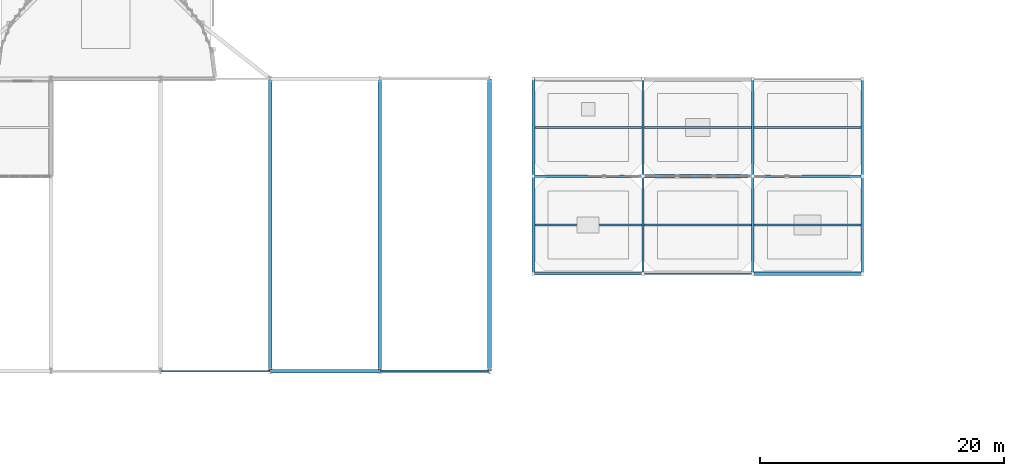
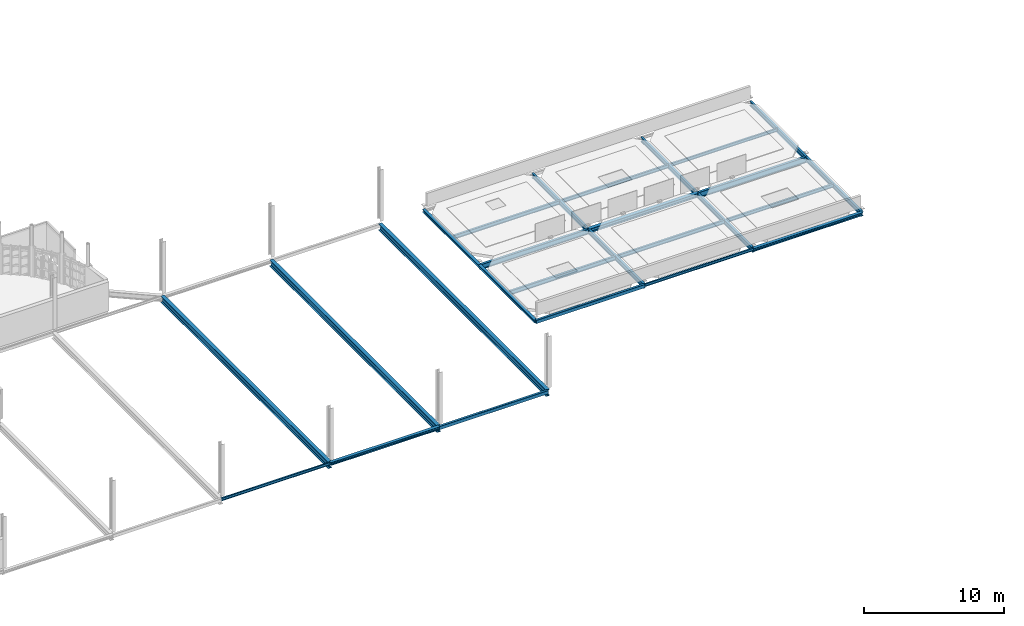
# One storey, part 14 of 44: 26 beams.
"""IFC4 building model written with IfcOpenShell, lengths in metres."""

import ifcopenshell
import ifcopenshell.guid

model = None  # the IFC model being written
_history = None  # IfcOwnerHistory: only IFC2X3 demands one
_inside = {}  # id of a spatial element -> (the spatial element, [elements in it])
_under = {}  # id of a project, library or spatial element -> (it, [spatial elements below it])
_declared = {}  # id of a project -> (the project, [libraries it declares])
_typed = {}  # id of a type object -> (the type object, [elements of that type])
_made_of = {}  # id of a material, layer set ... -> (it, [elements and type objects made of it])


def new_model(schema):
    """Start an empty IFC model of exactly this schema.

    Asked for "IFC4X3", IfcOpenShell would pick the latest addendum, in which some entities
    have other attributes; the version numbers below select the first issue.
    IFC2X3 requires an IfcOwnerHistory on every rooted entity: one is made here for all.
    """
    global model, _history
    if schema == "IFC4X3":
        model = ifcopenshell.file(schema_version=(4, 3, 0, 0))
    else:
        model = ifcopenshell.file(schema=schema)
    _inside.clear()
    _under.clear()
    _declared.clear()
    _typed.clear()
    _made_of.clear()
    _history = None
    if model.schema == "IFC2X3":
        org = make("IfcOrganization", Name="unknown")
        user = make(
            "IfcPersonAndOrganization",
            ThePerson=make("IfcPerson", FamilyName="unknown"),
            TheOrganization=org,
        )
        app = make(
            "IfcApplication",
            ApplicationDeveloper=org,
            Version="unknown",
            ApplicationFullName="unknown",
            ApplicationIdentifier="unknown",
        )
        _history = make(
            "IfcOwnerHistory",
            OwningUser=user,
            OwningApplication=app,
            ChangeAction="ADDED",
            CreationDate=0,
        )
    return model


def make(cls, **values):
    """One entity of the class cls with the attributes given. An attribute that is None is left unset."""
    return model.create_entity(
        cls, **{name: value for name, value in values.items() if value is not None}
    )


def rooted(cls, **values):
    """An entity with a GlobalId (a new one), such as an element, a storey or a relation."""
    return make(cls, GlobalId=ifcopenshell.guid.new(), OwnerHistory=_history, **values)


def si_unit(unit_type, name, prefix=None):
    """IfcSIUnit, for example si_unit("LENGTHUNIT", "METRE", prefix="MILLI")."""
    return make("IfcSIUnit", UnitType=unit_type, Prefix=prefix, Name=name)


def assignment(units):
    """IfcUnitAssignment: the units of a project."""
    return None if units is None else make("IfcUnitAssignment", Units=units)


def point(xyz):
    """IfcCartesianPoint."""
    return None if xyz is None else make("IfcCartesianPoint", Coordinates=xyz)


def direction(xyz):
    """IfcDirection."""
    return None if xyz is None else make("IfcDirection", DirectionRatios=xyz)


def frame(location, z_axis=None, x_axis=None):
    """IfcAxis2Placement3D, a coordinate frame: its origin and axes. An axis left out is left unset."""
    return make(
        "IfcAxis2Placement3D",
        Location=point(location),
        Axis=direction(z_axis),
        RefDirection=direction(x_axis),
    )


def frame_2d(location, x_axis=None):
    """IfcAxis2Placement2D, a coordinate frame in the plane: its origin and x axis."""
    return make(
        "IfcAxis2Placement2D", Location=point(location), RefDirection=direction(x_axis)
    )


def origin():
    """The frame at (0, 0, 0) with its axes left unset."""
    return frame((0.0, 0.0, 0.0))


def origin_2d():
    """The frame at (0, 0) in the plane with its x axis left unset."""
    return frame_2d((0.0, 0.0))


def place(relative_to, where):
    """IfcLocalPlacement: puts the frame where relative to a parent placement (None: the world)."""
    return make(
        "IfcLocalPlacement", PlacementRelTo=relative_to, RelativePlacement=where
    )


def context(
    kind, dimensions, precision=None, world=None, true_north=None, identifier=None
):
    """IfcGeometricRepresentationContext, for example the 3D "Model" context."""
    return make(
        "IfcGeometricRepresentationContext",
        ContextIdentifier=identifier,
        ContextType=kind,
        CoordinateSpaceDimension=dimensions,
        Precision=precision,
        WorldCoordinateSystem=world,
        TrueNorth=true_north,
    )


def subcontext(parent, identifier, kind, view, scale=None):
    """IfcGeometricRepresentationSubContext, for example "Body" below "Model"."""
    return make(
        "IfcGeometricRepresentationSubContext",
        ContextIdentifier=identifier,
        ContextType=kind,
        ParentContext=parent,
        TargetScale=scale,
        TargetView=view,
    )


def project(units=None, contexts=None):
    """IfcProject with its units and contexts."""
    return rooted(
        "IfcProject",
        Name="project",
        RepresentationContexts=contexts,
        UnitsInContext=assignment(units),
    )


def spatial(cls, under=None, at=None, **own):
    """A site, building, storey or space (cls), placed at a placement, below another one or the project."""
    s = rooted(cls, ObjectPlacement=at, **own)
    if under is not None:
        _under.setdefault(under.id(), (under, []))[1].append(s)
    return s


def profile(cls, at=None, kind="AREA", **sizes):
    """A parametric profile (cls). Its sizes go by their IFC names, for example OverallWidth=200.0."""
    return make(cls, ProfileType=kind, Position=at, **sizes)


def hollow_rectangle(**sizes):
    """IfcRectangleHollowProfileDef."""
    return profile("IfcRectangleHollowProfileDef", **sizes)


def i_section(**sizes):
    """IfcIShapeProfileDef."""
    return profile("IfcIShapeProfileDef", **sizes)


def extrude(swept, where, along, depth):
    """IfcExtrudedAreaSolid: the profile swept, set in the frame where, extruded along a direction by depth."""
    return make(
        "IfcExtrudedAreaSolid",
        SweptArea=swept,
        Position=where,
        ExtrudedDirection=direction(along),
        Depth=depth,
    )


def shape(context_of_items, identifier, shape_type, items):
    """IfcShapeRepresentation: the items that make up one representation, for example the "Body"."""
    return make(
        "IfcShapeRepresentation",
        ContextOfItems=context_of_items,
        RepresentationIdentifier=identifier,
        RepresentationType=shape_type,
        Items=items,
    )


def material(Name=None, Category=None):
    """IfcMaterial."""
    return make("IfcMaterial", Name=Name, Category=Category)


def material_profile(
    of_material, cross_section, Name=None, Category=None, Priority=None
):
    """IfcMaterialProfile: a cross section and its material."""
    return make(
        "IfcMaterialProfile",
        Name=Name,
        Material=of_material,
        Profile=cross_section,
        Priority=Priority,
        Category=Category,
    )


def profile_set(profiles, Name=None, composite=None):
    """IfcMaterialProfileSet."""
    return make(
        "IfcMaterialProfileSet",
        Name=Name,
        MaterialProfiles=profiles,
        CompositeProfile=composite,
    )


def made_of(thing, what):
    """Note that an element or type object is made of a material, layer set ...; save() writes the relation."""
    if what is not None:
        _made_of.setdefault(what.id(), (what, []))[1].append(thing)
    return thing


def type_object(cls, material=None, **own):
    """A type object (cls), such as IfcWallType, which elements share."""
    return made_of(rooted(cls, **own), material)


def element(
    cls,
    number,
    at=None,
    inside=None,
    cuts=None,
    type_object=None,
    material=None,
    context=None,
    identifier="Body",
    shape_type=None,
    held_by="IfcProductDefinitionShape",
    body=None,
    shapes=None,
    **own,
):
    """One element of the class cls, such as IfcWall. Its Tag is "e" and its number.

    at: its placement. inside: the storey or other place that contains it. cuts: it is an
    opening in that element (IfcRelVoidsElement). A single representation is given by context,
    identifier, shape_type and body (its items); several are given by shapes. held_by: the class
    of the entity that holds the representations. save() writes the other relations.
    """
    e = rooted(cls, Tag="e%d" % number, ObjectPlacement=at, **own)
    if body is not None:
        shapes = [shape(context, identifier, shape_type, body)]
    if shapes is not None:
        e.Representation = make(held_by, Representations=shapes)
    if inside is not None:
        _inside.setdefault(inside.id(), (inside, []))[1].append(e)
    if cuts is not None:
        rooted(
            "IfcRelVoidsElement", RelatingBuildingElement=cuts, RelatedOpeningElement=e
        )
    if type_object is not None:
        _typed.setdefault(type_object.id(), (type_object, []))[1].append(e)
    return made_of(e, material)


def aggregate(whole, parts):
    """IfcRelAggregates: a whole, such as a stair, and the parts it consists of."""
    return rooted("IfcRelAggregates", RelatingObject=whole, RelatedObjects=parts)


def save(model, path):
    """Write the relations noted so far, then the file.

    IfcRelAggregates (storeys below a building ...), IfcRelContainedInSpatialStructure (elements
    in a storey), IfcRelDefinesByType, IfcRelAssociatesMaterial and IfcRelDeclares: one each for
    every whole, place, type object, material and project.
    """
    for whole, parts in _under.values():
        aggregate(whole, parts)
    for where, things in _inside.values():
        rooted(
            "IfcRelContainedInSpatialStructure",
            RelatedElements=things,
            RelatingStructure=where,
        )
    for kind, things in _typed.values():
        rooted("IfcRelDefinesByType", RelatedObjects=things, RelatingType=kind)
    for what, things in _made_of.values():
        rooted("IfcRelAssociatesMaterial", RelatedObjects=things, RelatingMaterial=what)
    for by, libraries in _declared.values():
        rooted("IfcRelDeclares", RelatingContext=by, RelatedDefinitions=libraries)
    model.write(path)


model = new_model("IFC4")

# Units and contexts
model_context = context("Model", 3, precision=1e-05, world=origin(), true_north=direction((0.0, 1.0)))
body_context = subcontext(model_context, "Body", "Model", "MODEL_VIEW")
ifc_project = project(units=[si_unit("LENGTHUNIT", "METRE"), si_unit("AREAUNIT", "SQUARE_METRE"), si_unit("VOLUMEUNIT", "CUBIC_METRE"), si_unit("PLANEANGLEUNIT", "RADIAN"), si_unit("MASSUNIT", "GRAM", prefix="KILO")], contexts=[model_context])

# Site, building, storey
site_placement = place(None, origin())
site = spatial("IfcSite", under=ifc_project, at=site_placement, CompositionType="ELEMENT")
building_placement = place(site_placement, origin())
building = spatial("IfcBuilding", under=site, at=building_placement, Name="Serraforn Aerial Cableway Station", CompositionType="ELEMENT")
storey_placement = place(building_placement, frame((0.0, 0.0, 13.800048828125)))
storey = spatial("IfcBuildingStorey", under=building, at=storey_placement, Name="L03", CompositionType="ELEMENT", Elevation=13.800048828125)

# Beams
ifc_material_1 = material(Name="Steel S355JR", Category="steel")
ifc_material_profile_1 = material_profile(ifc_material_1, i_section(OverallWidth=0.239990234375, OverallDepth=0.239990234375, WebThickness=0.007568359375, FlangeThickness=0.011962890625, FilletRadius=0.02099609375, at=origin_2d()), Name="HEA 240")
ifc_profile_set_1 = profile_set([ifc_material_profile_1], Name="Steel S355JR")
beam_type_1 = type_object("IfcBeamType", Name="BM-ST-HEA240", PredefinedType="BEAM", material=ifc_profile_set_1)
for number, where, z_axis, x_axis, name in (
    (1, (94.199951171875, 26.0, -0.43994140625), (0.0, 1.0, 0.0), (-1.0, 0.0, 0.0), "Grid Girder Y EL L03 X1-1"),
    (2, (94.199951171875, 34.0, -0.43994140625), (0.0, 1.0, 0.0), (-1.0, 0.0, 0.0), "Grid Girder Y EL L03 X1-2"),
):
    element("IfcBeam", number, at=place(storey_placement, frame(where, z_axis=z_axis, x_axis=x_axis)), inside=storey, type_object=beam_type_1, Name=name, PredefinedType="BEAM", context=body_context, shape_type="SweptSolid", body=[
        extrude(i_section(OverallWidth=0.239990234375, OverallDepth=0.239990234375, WebThickness=0.007568359375, FlangeThickness=0.011962890625, FilletRadius=0.02099609375, at=origin_2d()), origin(), (0.0, 0.0, 1.0), 8.0),
    ])
ifc_material_2 = material(Name="Steel S355J2", Category="steel")
ifc_material_profile_2 = material_profile(ifc_material_2, i_section(OverallWidth=0.260009765625, OverallDepth=0.260009765625, WebThickness=0.010009765625, FlangeThickness=0.017578125, FilletRadius=0.02392578125, at=origin_2d()), Name="HEB 260")
ifc_profile_set_2 = profile_set([ifc_material_profile_2], Name="Steel S355J2")
beam_type_2 = type_object("IfcBeamType", Name="BM-ST-HEB260", PredefinedType="BEAM", material=ifc_profile_set_2)
for number, where, z_axis, x_axis, name in (
    (3, (72.60009765625, 18.0, -0.449951171875), (1.0, 0.0, 0.0), (0.0, 1.0, 0.0), "Grid Girder X CV L03 Y1-6"),
    (4, (112.199951171875, 26.0, -0.449951171875), (1.0, 0.0, 0.0), (0.0, 1.0, 0.0), "Grid Girder X EL L03 Y1-3"),
):
    element("IfcBeam", number, at=place(storey_placement, frame(where, z_axis=z_axis, x_axis=x_axis)), inside=storey, type_object=beam_type_2, Name=name, PredefinedType="BEAM", context=body_context, shape_type="SweptSolid", body=[
        extrude(i_section(OverallWidth=0.260009765625, OverallDepth=0.260009765625, WebThickness=0.010009765625, FlangeThickness=0.017578125, FilletRadius=0.02392578125, at=origin_2d()), origin(), (0.0, 0.0, 1.0), 9.0),
    ])
ifc_material_profile_3 = material_profile(ifc_material_2, i_section(OverallWidth=0.300048828125, OverallDepth=0.360107421875, WebThickness=0.012451171875, FlangeThickness=0.0224609375, FilletRadius=0.027099609375, at=origin_2d()), Name="HEB 360")
ifc_profile_set_3 = profile_set([ifc_material_profile_3], Name="Steel S355J2")
beam_type_3 = type_object("IfcBeamType", Name="BM-ST-HEB360", PredefinedType="USERDEFINED", material=ifc_profile_set_3)
beam_1_placement = place(storey_placement, frame((103.199951171875, 34.0, -0.5), z_axis=(1.0, 0.0, 0.0), x_axis=(0.0, 1.0, 0.0)))
element("IfcBeam", 5, at=beam_1_placement, inside=storey, type_object=beam_type_3, Name="Grid Girder X EL L03 Y2-2", ObjectType="GIRDER", PredefinedType="USERDEFINED", context=body_context, shape_type="SweptSolid", body=[
    extrude(i_section(OverallWidth=0.300048828125, OverallDepth=0.360107421875, WebThickness=0.012451171875, FlangeThickness=0.0224609375, FilletRadius=0.027099609375, at=origin_2d()), origin(), (0.0, 0.0, 1.0), 9.0),
])
ifc_material_profile_4 = material_profile(ifc_material_2, i_section(OverallWidth=0.300048828125, OverallDepth=0.550048828125, WebThickness=0.014892578125, FlangeThickness=0.029052734375, FilletRadius=0.027099609375, at=origin_2d()), Name="HEB 550")
ifc_profile_set_4 = profile_set([ifc_material_profile_4], Name="Steel S355J2")
beam_type_4 = type_object("IfcBeamType", Name="BM-ST-HEB550", PredefinedType="USERDEFINED", material=ifc_profile_set_4)
for number, where, z_axis, x_axis, name in (
    (6, (72.60009765625, 18.0, -0.594970703125), (0.0, 1.0, 0.0), (-1.0, 0.0, 0.0), "Grid Girder Y CV L03 X6-1"),
    (7, (81.60009765625, 18.0, -0.594970703125), (0.0, 1.0, 0.0), (-1.0, 0.0, 0.0), "Grid Girder Y CV L03 X7-1"),
    (8, (90.60009765625, 18.0, -0.594970703125), (0.0, 1.0, 0.0), (-1.0, 0.0, 0.0), "Grid Girder Y CV L03 X8-1"),
):
    element("IfcBeam", number, at=place(storey_placement, frame(where, z_axis=z_axis, x_axis=x_axis)), inside=storey, type_object=beam_type_4, Name=name, ObjectType="GIRDER", PredefinedType="USERDEFINED", context=body_context, shape_type="SweptSolid", body=[
        extrude(i_section(OverallWidth=0.300048828125, OverallDepth=0.550048828125, WebThickness=0.014892578125, FlangeThickness=0.029052734375, FilletRadius=0.027099609375, at=origin_2d()), origin(), (0.0, 0.0, 1.0), 24.0),
    ])
ifc_material_profile_5 = material_profile(ifc_material_1, i_section(OverallWidth=0.1201171875, OverallDepth=0.239990234375, WebThickness=0.006103515625, FlangeThickness=0.009765625, FilletRadius=0.014892578125, at=origin_2d()), Name="IPE 240")
ifc_profile_set_5 = profile_set([ifc_material_profile_5], Name="Steel S355JR")
beam_type_5 = type_object("IfcBeamType", Name="BM-ST-IPE240", PredefinedType="SPANDREL", material=ifc_profile_set_5)
for number, where, z_axis, x_axis, name in (
    (9, (63.60009765625, 18.0, -0.43994140625), (1.0, 0.0, 0.0), (0.0, 1.0, 0.0), "Grid Girder X CV L03 Y1-5"),
    (10, (103.199951171875, 26.0, -0.43994140625), (1.0, 0.0, 0.0), (0.0, 1.0, 0.0), "Grid Girder X EL L03 Y1-2"),
):
    element("IfcBeam", number, at=place(storey_placement, frame(where, z_axis=z_axis, x_axis=x_axis)), inside=storey, type_object=beam_type_5, Name=name, PredefinedType="SPANDREL", context=body_context, shape_type="SweptSolid", body=[
        extrude(i_section(OverallWidth=0.1201171875, OverallDepth=0.239990234375, WebThickness=0.006103515625, FlangeThickness=0.009765625, FilletRadius=0.014892578125, at=origin_2d()), origin(), (0.0, 0.0, 1.0), 9.0),
    ])
ifc_material_profile_6 = material_profile(ifc_material_1, i_section(OverallWidth=0.135009765625, OverallDepth=0.27001953125, WebThickness=0.006591796875, FlangeThickness=0.01025390625, FilletRadius=0.014892578125, at=origin_2d()), Name="IPE 270")
ifc_profile_set_6 = profile_set([ifc_material_profile_6], Name="Steel S355JR")
beam_type_6 = type_object("IfcBeamType", Name="BM-ST-IPE270", PredefinedType="JOIST", material=ifc_profile_set_6)
beam_2_placement = place(storey_placement, frame((112.2900390625, 38.0, -0.385009765625), z_axis=(1.0, 0.0, 0.0), x_axis=(0.0, 1.0, 0.0)))
element("IfcBeam", 11, at=beam_2_placement, inside=storey, type_object=beam_type_6, Name="Floor Joist EL-L03-3-2-1", PredefinedType="JOIST", context=body_context, shape_type="SweptSolid", body=[
    extrude(i_section(OverallWidth=0.135009765625, OverallDepth=0.27001953125, WebThickness=0.006591796875, FlangeThickness=0.01025390625, FilletRadius=0.014892578125, at=origin_2d()), origin(), (0.0, 0.0, 1.0), 8.820068359375),
])
ifc_material_profile_7 = material_profile(ifc_material_1, i_section(OverallWidth=0.14990234375, OverallDepth=0.300048828125, WebThickness=0.007080078125, FlangeThickness=0.0107421875, FilletRadius=0.014892578125, at=origin_2d()), Name="IPE 300")
ifc_profile_set_7 = profile_set([ifc_material_profile_7], Name="Steel S355JR")
beam_type_7 = type_object("IfcBeamType", Name="BM-ST-IPE300", PredefinedType="JOIST", material=ifc_profile_set_7)
for number, where, z_axis, x_axis, name in (
    (12, (103.2900390625, 38.0, -0.400146484375), (1.0, 0.0, 0.0), (0.0, 1.0, 0.0), "Floor Joist EL-L03-2-2-1"),
    (13, (112.2900390625, 30.0, -0.400146484375), (1.0, 0.0, 0.0), (0.0, 1.0, 0.0), "Floor Joist EL-L03-3-1-1"),
):
    element("IfcBeam", number, at=place(storey_placement, frame(where, z_axis=z_axis, x_axis=x_axis)), inside=storey, type_object=beam_type_7, Name=name, PredefinedType="JOIST", context=body_context, shape_type="SweptSolid", body=[
        extrude(i_section(OverallWidth=0.14990234375, OverallDepth=0.300048828125, WebThickness=0.007080078125, FlangeThickness=0.0107421875, FilletRadius=0.014892578125, at=origin_2d()), origin(), (0.0, 0.0, 1.0), 8.820068359375),
    ])
ifc_material_profile_8 = material_profile(ifc_material_1, i_section(OverallWidth=0.159912109375, OverallDepth=0.330078125, WebThickness=0.007568359375, FlangeThickness=0.011474609375, FilletRadius=0.01806640625, at=origin_2d()), Name="IPE 330")
ifc_profile_set_8 = profile_set([ifc_material_profile_8], Name="Steel S355JR")
beam_type_8 = type_object("IfcBeamType", Name="BM-ST-IPE330", PredefinedType="JOIST", material=ifc_profile_set_8)
beam_3_placement = place(storey_placement, frame((94.320068359375, 38.0, -0.4150390625), z_axis=(1.0, 0.0, 0.0), x_axis=(0.0, 1.0, 0.0)))
element("IfcBeam", 14, at=beam_3_placement, inside=storey, type_object=beam_type_8, Name="Floor Joist EL-L03-1-2-1", PredefinedType="JOIST", context=body_context, shape_type="SweptSolid", body=[
    extrude(i_section(OverallWidth=0.159912109375, OverallDepth=0.330078125, WebThickness=0.007568359375, FlangeThickness=0.011474609375, FilletRadius=0.01806640625, at=origin_2d()), origin(), (0.0, 0.0, 1.0), 8.7900390625),
])
beam_4_placement = place(storey_placement, frame((103.2900390625, 30.0, -0.4150390625), z_axis=(1.0, 0.0, 0.0), x_axis=(0.0, 1.0, 0.0)))
element("IfcBeam", 15, at=beam_4_placement, inside=storey, type_object=beam_type_8, Name="Floor Joist EL-L03-2-1-1", PredefinedType="JOIST", context=body_context, shape_type="SweptSolid", body=[
    extrude(i_section(OverallWidth=0.159912109375, OverallDepth=0.330078125, WebThickness=0.007568359375, FlangeThickness=0.011474609375, FilletRadius=0.01806640625, at=origin_2d()), origin(), (0.0, 0.0, 1.0), 8.820068359375),
])
ifc_material_profile_9 = material_profile(ifc_material_1, i_section(OverallWidth=0.169921875, OverallDepth=0.360107421875, WebThickness=0.008056640625, FlangeThickness=0.0126953125, FilletRadius=0.01806640625, at=origin_2d()), Name="IPE 360")
ifc_profile_set_9 = profile_set([ifc_material_profile_9], Name="Steel S355JR")
beam_type_9 = type_object("IfcBeamType", Name="BM-ST-IPE360", PredefinedType="JOIST", material=ifc_profile_set_9)
beam_5_placement = place(storey_placement, frame((94.320068359375, 30.0, -0.429931640625), z_axis=(1.0, 0.0, 0.0), x_axis=(0.0, 1.0, 0.0)))
element("IfcBeam", 16, at=beam_5_placement, inside=storey, type_object=beam_type_9, Name="Floor Joist EL-L03-1-1-1", PredefinedType="JOIST", context=body_context, shape_type="SweptSolid", body=[
    extrude(i_section(OverallWidth=0.169921875, OverallDepth=0.360107421875, WebThickness=0.008056640625, FlangeThickness=0.0126953125, FilletRadius=0.01806640625, at=origin_2d()), origin(), (0.0, 0.0, 1.0), 8.7900390625),
])
ifc_material_profile_10 = material_profile(ifc_material_1, i_section(OverallWidth=0.179931640625, OverallDepth=0.39990234375, WebThickness=0.008544921875, FlangeThickness=0.013427734375, FilletRadius=0.02099609375, at=origin_2d()), Name="IPE 400")
ifc_profile_set_10 = profile_set([ifc_material_profile_10], Name="Steel S355JR")
beam_type_10 = type_object("IfcBeamType", Name="BM-ST-IPE400", PredefinedType="BEAM", material=ifc_profile_set_10)
for number, where, z_axis, x_axis, name in (
    (17, (103.199951171875, 26.0, -0.52001953125), (0.0, 1.0, 0.0), (-1.0, 0.0, 0.0), "Grid Girder Y EL L03 X2-1"),
    (18, (103.199951171875, 34.0, -0.52001953125), (0.0, 1.0, 0.0), (-1.0, 0.0, 0.0), "Grid Girder Y EL L03 X2-2"),
    (19, (112.199951171875, 26.0, -0.52001953125), (0.0, 1.0, 0.0), (-1.0, 0.0, 0.0), "Grid Girder Y EL L03 X3-1"),
    (20, (112.199951171875, 34.0, -0.52001953125), (0.0, 1.0, 0.0), (-1.0, 0.0, 0.0), "Grid Girder Y EL L03 X3-2"),
    (21, (121.199951171875, 26.0, -0.52001953125), (0.0, 1.0, 0.0), (-1.0, 0.0, 0.0), "Grid Girder Y EL L03 X4-1"),
    (22, (121.199951171875, 34.0, -0.52001953125), (0.0, 1.0, 0.0), (-1.0, 0.0, 0.0), "Grid Girder Y EL L03 X4-2"),
):
    element("IfcBeam", number, at=place(storey_placement, frame(where, z_axis=z_axis, x_axis=x_axis)), inside=storey, type_object=beam_type_10, Name=name, PredefinedType="BEAM", context=body_context, shape_type="SweptSolid", body=[
        extrude(i_section(OverallWidth=0.179931640625, OverallDepth=0.39990234375, WebThickness=0.008544921875, FlangeThickness=0.013427734375, FilletRadius=0.02099609375, at=origin_2d()), origin(), (0.0, 0.0, 1.0), 8.0),
    ])
ifc_material_profile_11 = material_profile(ifc_material_1, i_section(OverallWidth=0.18994140625, OverallDepth=0.449951171875, WebThickness=0.009521484375, FlangeThickness=0.0146484375, FilletRadius=0.02099609375, at=origin_2d()), Name="IPE 450")
ifc_profile_set_11 = profile_set([ifc_material_profile_11], Name="Steel S355JR")
beam_type_11 = type_object("IfcBeamType", Name="BM-ST-IPE450", PredefinedType="BEAM", material=ifc_profile_set_11)
beam_6_placement = place(storey_placement, frame((94.199951171875, 34.0, -0.545166015625), z_axis=(1.0, 0.0, 0.0), x_axis=(0.0, 1.0, 0.0)))
element("IfcBeam", 23, at=beam_6_placement, inside=storey, type_object=beam_type_11, Name="Grid Girder X EL L03 Y2-1", PredefinedType="BEAM", context=body_context, shape_type="SweptSolid", body=[
    extrude(i_section(OverallWidth=0.18994140625, OverallDepth=0.449951171875, WebThickness=0.009521484375, FlangeThickness=0.0146484375, FilletRadius=0.02099609375, at=origin_2d()), origin(), (0.0, 0.0, 1.0), 9.0),
])
ifc_material_profile_12 = material_profile(ifc_material_1, i_section(OverallWidth=0.199951171875, OverallDepth=0.5, WebThickness=0.01025390625, FlangeThickness=0.01611328125, FilletRadius=0.02099609375, at=origin_2d()), Name="IPE 500")
ifc_profile_set_12 = profile_set([ifc_material_profile_12], Name="Steel S355JR")
beam_type_12 = type_object("IfcBeamType", Name="BM-ST-IPE500", PredefinedType="USERDEFINED", material=ifc_profile_set_12)
beam_7_placement = place(storey_placement, frame((112.199951171875, 34.0, -0.570068359375), z_axis=(1.0, 0.0, 0.0), x_axis=(0.0, 1.0, 0.0)))
element("IfcBeam", 24, at=beam_7_placement, inside=storey, type_object=beam_type_12, Name="Grid Girder X EL L03 Y2-3", ObjectType="GIRDER", PredefinedType="USERDEFINED", context=body_context, shape_type="SweptSolid", body=[
    extrude(i_section(OverallWidth=0.199951171875, OverallDepth=0.5, WebThickness=0.01025390625, FlangeThickness=0.01611328125, FilletRadius=0.02099609375, at=origin_2d()), origin(), (0.0, 0.0, 1.0), 9.0),
])
ifc_material_profile_13 = material_profile(ifc_material_2, hollow_rectangle(XDim=0.199951171875, YDim=0.300048828125, WallThickness=0.012451171875, InnerFilletRadius=0.012451171875, OuterFilletRadius=0.02490234375, at=origin_2d()), Name="RHS 300x200x12.5")
ifc_profile_set_13 = profile_set([ifc_material_profile_13], Name="Steel S355J2")
beam_type_13 = type_object("IfcBeamType", Name="BM-ST-RHS300", PredefinedType="SPANDREL", material=ifc_profile_set_13)
for number, where, z_axis, x_axis, name in (
    (25, (81.60009765625, 18.0, -0.469970703125), (1.0, 0.0, 0.0), (0.0, 1.0, 0.0), "Grid Girder X CV L03 Y1-7"),
    (26, (94.199951171875, 26.0, -0.469970703125), (1.0, 0.0, 0.0), (0.0, 1.0, 0.0), "Grid Girder X EL L03 Y1-1"),
):
    element("IfcBeam", number, at=place(storey_placement, frame(where, z_axis=z_axis, x_axis=x_axis)), inside=storey, type_object=beam_type_13, Name=name, PredefinedType="SPANDREL", context=body_context, shape_type="SweptSolid", body=[
        extrude(hollow_rectangle(XDim=0.199951171875, YDim=0.300048828125, WallThickness=0.012451171875, InnerFilletRadius=0.012451171875, OuterFilletRadius=0.02490234375, at=origin_2d()), origin(), (0.0, 0.0, 1.0), 9.0),
    ])

save(model, "model.ifc")
